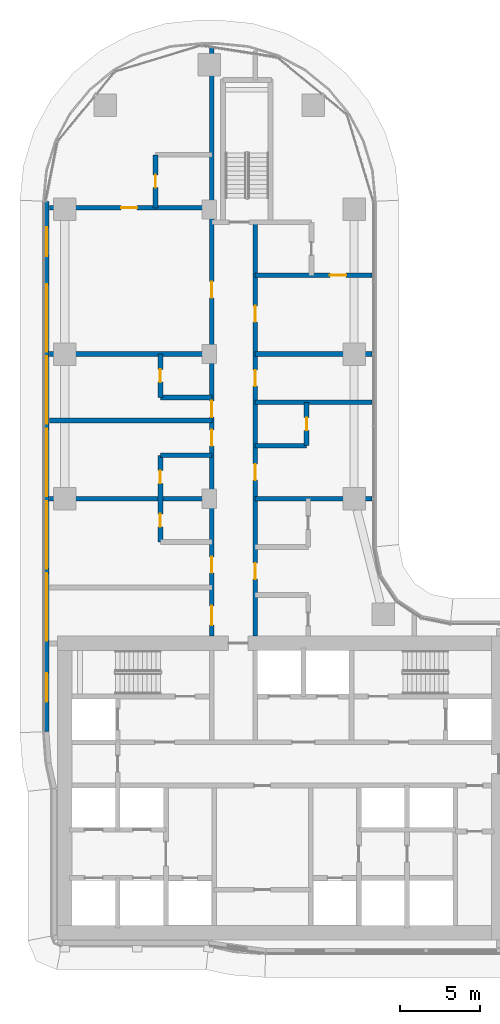
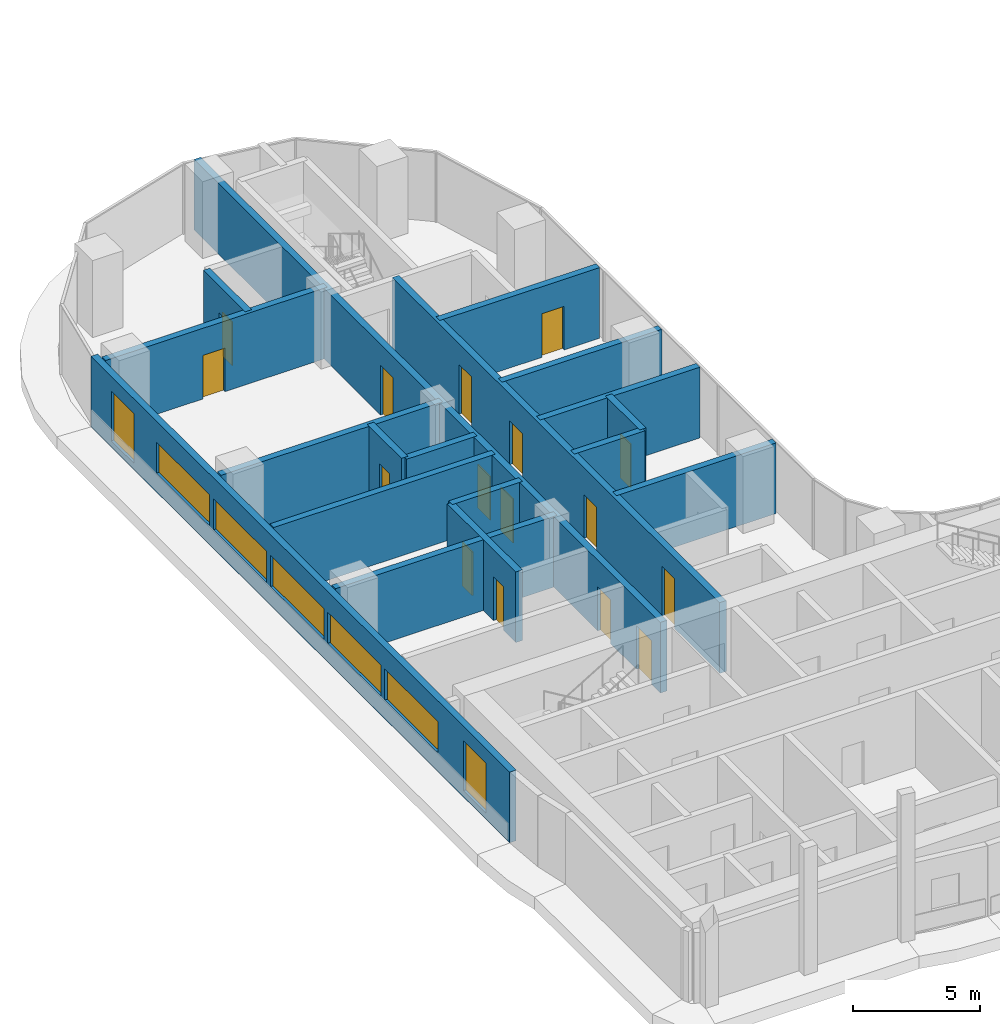
# One storey, part 23 of 39: 18 walls, 16 doors, 7 windows, 23 openings.
"""IFC4 building model written with IfcOpenShell, lengths in metres."""

from ifc_helpers import new_model, si_unit, direction, frame, frame_2d, origin, place, context, subcontext, project, spatial, rectangle, extrude, material, layer, layer_set, type_object, element, fill, save


model = new_model("IFC4")

# Units and contexts
model_context = context("Model", 3, precision=1e-05, world=origin(), true_north=direction((0.0, 1.0)))
body_context = subcontext(model_context, "Body", "Model", "MODEL_VIEW")
ifc_project = project(units=[si_unit("LENGTHUNIT", "METRE"), si_unit("AREAUNIT", "SQUARE_METRE"), si_unit("VOLUMEUNIT", "CUBIC_METRE"), si_unit("PLANEANGLEUNIT", "RADIAN"), si_unit("MASSUNIT", "GRAM", prefix="KILO")], contexts=[model_context])

# Site, building, storey
site_placement = place(None, origin())
site = spatial("IfcSite", under=ifc_project, at=site_placement, CompositionType="ELEMENT")
building_placement = place(site_placement, origin())
building = spatial("IfcBuilding", under=site, at=building_placement, Name="Ogive Portal Towers", CompositionType="ELEMENT")
storey_placement = place(building_placement, frame((0.0, 0.0, 44.60009765625)))
storey = spatial("IfcBuildingStorey", under=building, at=storey_placement, Name="L09", CompositionType="ELEMENT", Elevation=44.60009765625)

# Wall, openings, windows
ifc_material_1 = material(Name="Limestone cladding on lightweight block wall", Category="masonry")
ifc_layer_1 = layer(ifc_material_1, 0.300048828125)
ifc_layer_set_1 = layer_set([ifc_layer_1], Name="EXTERNAL WALL 300 STONE")
wall_type_1 = type_object("IfcWallType", Name="EXTERNAL WALL 300 STONE", PredefinedType="SOLIDWALL", material=ifc_layer_set_1)
wall_1_placement = place(storey_placement, frame((30.364990234375, 66.9921875, 0.0), z_axis=(0.0, 0.0, 1.0), x_axis=(0.0, -1.0, 0.0)))
wall_1 = element("IfcWall", 1, at=wall_1_placement, inside=storey, type_object=wall_type_1, Name="A:L09:f23:r0:wall", PredefinedType="SOLIDWALL", context=body_context, shape_type="SweptSolid", body=[
    extrude(rectangle(XDim=32.9814453125, YDim=0.300048828125, at=frame_2d((16.49072265625, 0.0))), origin(), (0.0, 0.0, 1.0), 3.39990234375),
])
opening_1_placement = place(wall_1_placement, frame((1.595947265625, 0.0, 0.300048828125)))
opening_1 = element("IfcOpeningElement", 2, at=opening_1_placement, cuts=wall_1, Name="Opening WN10", PredefinedType="OPENING", context=body_context, shape_type="SweptSolid", body=[
    extrude(rectangle(XDim=1.800048828125, YDim=2.39990234375, at=frame_2d((0.89990234375, 1.199951171875))), frame((0.0, 0.16015625, 0.0), z_axis=(0.0, -1.0, 0.0), x_axis=(1.0, 0.0, 0.0)), (0.0, 0.0, 1.0), 0.320068359375),
])
opening_2_placement = place(wall_1_placement, frame((5.14208984375, 0.0, 0.89990234375)))
opening_2 = element("IfcOpeningElement", 3, at=opening_2_placement, cuts=wall_1, Name="Opening WN11", PredefinedType="OPENING", context=body_context, shape_type="SweptSolid", body=[
    extrude(rectangle(XDim=4.199951171875, YDim=1.5, at=frame_2d((2.10009765625, 0.75))), frame((0.0, 0.16015625, 0.0), z_axis=(0.0, -1.0, 0.0), x_axis=(1.0, 0.0, 0.0)), (0.0, 0.0, 1.0), 0.320068359375),
])
opening_3_placement = place(wall_1_placement, frame((9.64208984375, 0.0, 0.89990234375)))
opening_3 = element("IfcOpeningElement", 4, at=opening_3_placement, cuts=wall_1, Name="Opening WN11", PredefinedType="OPENING", context=body_context, shape_type="SweptSolid", body=[
    extrude(rectangle(XDim=4.199951171875, YDim=1.5, at=frame_2d((2.10009765625, 0.75))), frame((0.0, 0.16015625, 0.0), z_axis=(0.0, -1.0, 0.0), x_axis=(1.0, 0.0, 0.0)), (0.0, 0.0, 1.0), 0.320068359375),
])
opening_4_placement = place(wall_1_placement, frame((14.14208984375, 0.0, 0.89990234375)))
opening_4 = element("IfcOpeningElement", 5, at=opening_4_placement, cuts=wall_1, Name="Opening WN11", PredefinedType="OPENING", context=body_context, shape_type="SweptSolid", body=[
    extrude(rectangle(XDim=4.199951171875, YDim=1.5, at=frame_2d((2.10009765625, 0.75))), frame((0.0, 0.16015625, 0.0), z_axis=(0.0, -1.0, 0.0), x_axis=(1.0, 0.0, 0.0)), (0.0, 0.0, 1.0), 0.320068359375),
])
opening_5_placement = place(wall_1_placement, frame((18.64208984375, 0.0, 0.89990234375)))
opening_5 = element("IfcOpeningElement", 6, at=opening_5_placement, cuts=wall_1, Name="Opening WN11", PredefinedType="OPENING", context=body_context, shape_type="SweptSolid", body=[
    extrude(rectangle(XDim=4.199951171875, YDim=1.5, at=frame_2d((2.10009765625, 0.75))), frame((0.0, 0.16015625, 0.0), z_axis=(0.0, -1.0, 0.0), x_axis=(1.0, 0.0, 0.0)), (0.0, 0.0, 1.0), 0.320068359375),
])
opening_6_placement = place(wall_1_placement, frame((23.14208984375, 0.0, 0.89990234375)))
opening_6 = element("IfcOpeningElement", 7, at=opening_6_placement, cuts=wall_1, Name="Opening WN11", PredefinedType="OPENING", context=body_context, shape_type="SweptSolid", body=[
    extrude(rectangle(XDim=4.199951171875, YDim=1.5, at=frame_2d((2.10009765625, 0.75))), frame((0.0, 0.16015625, 0.0), z_axis=(0.0, -1.0, 0.0), x_axis=(1.0, 0.0, 0.0)), (0.0, 0.0, 1.0), 0.320068359375),
])
opening_7_placement = place(wall_1_placement, frame((29.336669921875, 0.0, 0.300048828125)))
opening_7 = element("IfcOpeningElement", 8, at=opening_7_placement, cuts=wall_1, Name="Opening WN10", PredefinedType="OPENING", context=body_context, shape_type="SweptSolid", body=[
    extrude(rectangle(XDim=1.800048828125, YDim=2.39990234375, at=frame_2d((0.89990234375, 1.199951171875))), frame((0.0, 0.16015625, 0.0), z_axis=(0.0, -1.0, 0.0), x_axis=(1.0, 0.0, 0.0)), (0.0, 0.0, 1.0), 0.320068359375),
])
ifc_material_2 = material(Name="Glass, clear low-iron insulated glazing", Category="glass")
window_type_1 = type_object("IfcWindowType", Name="WINDOW RIBBON 4200x1500", PartitioningType="TRIPLE_PANEL_VERTICAL", PredefinedType="WINDOW", material=ifc_material_2)
window_1_placement = place(opening_2_placement, origin())
window_1 = element("IfcWindow", 9, at=window_1_placement, inside=storey, type_object=window_type_1, Name="A:L09:f23:r0:w1", OverallHeight=1.5, OverallWidth=4.199951171875, PartitioningType="SINGLE_PANEL", PredefinedType="WINDOW", context=body_context, shape_type="SweptSolid", body=[
    extrude(rectangle(XDim=4.199951171875, YDim=1.5, at=frame_2d((2.10009765625, 0.75))), frame((0.0, 0.030029296875, 0.0), z_axis=(0.0, -1.0, 0.0), x_axis=(1.0, 0.0, 0.0)), (0.0, 0.0, 1.0), 0.06005859375),
])
fill(opening_2, window_1)
window_2_placement = place(opening_3_placement, origin())
window_2 = element("IfcWindow", 10, at=window_2_placement, inside=storey, type_object=window_type_1, Name="A:L09:f23:r0:w2", OverallHeight=1.5, OverallWidth=4.199951171875, PartitioningType="SINGLE_PANEL", PredefinedType="WINDOW", context=body_context, shape_type="SweptSolid", body=[
    extrude(rectangle(XDim=4.199951171875, YDim=1.5, at=frame_2d((2.10009765625, 0.75))), frame((0.0, 0.030029296875, 0.0), z_axis=(0.0, -1.0, 0.0), x_axis=(1.0, 0.0, 0.0)), (0.0, 0.0, 1.0), 0.06005859375),
])
fill(opening_3, window_2)
window_3_placement = place(opening_4_placement, origin())
window_3 = element("IfcWindow", 11, at=window_3_placement, inside=storey, type_object=window_type_1, Name="A:L09:f23:r0:w3", OverallHeight=1.5, OverallWidth=4.199951171875, PartitioningType="SINGLE_PANEL", PredefinedType="WINDOW", context=body_context, shape_type="SweptSolid", body=[
    extrude(rectangle(XDim=4.199951171875, YDim=1.5, at=frame_2d((2.10009765625, 0.75))), frame((0.0, 0.030029296875, 0.0), z_axis=(0.0, -1.0, 0.0), x_axis=(1.0, 0.0, 0.0)), (0.0, 0.0, 1.0), 0.06005859375),
])
fill(opening_4, window_3)
window_4_placement = place(opening_5_placement, origin())
window_4 = element("IfcWindow", 12, at=window_4_placement, inside=storey, type_object=window_type_1, Name="A:L09:f23:r0:w4", OverallHeight=1.5, OverallWidth=4.199951171875, PartitioningType="SINGLE_PANEL", PredefinedType="WINDOW", context=body_context, shape_type="SweptSolid", body=[
    extrude(rectangle(XDim=4.199951171875, YDim=1.5, at=frame_2d((2.10009765625, 0.75))), frame((0.0, 0.030029296875, 0.0), z_axis=(0.0, -1.0, 0.0), x_axis=(1.0, 0.0, 0.0)), (0.0, 0.0, 1.0), 0.06005859375),
])
fill(opening_5, window_4)
window_5_placement = place(opening_6_placement, origin())
window_5 = element("IfcWindow", 13, at=window_5_placement, inside=storey, type_object=window_type_1, Name="A:L09:f23:r0:w5", OverallHeight=1.5, OverallWidth=4.199951171875, PartitioningType="SINGLE_PANEL", PredefinedType="WINDOW", context=body_context, shape_type="SweptSolid", body=[
    extrude(rectangle(XDim=4.199951171875, YDim=1.5, at=frame_2d((2.10009765625, 0.75))), frame((0.0, 0.030029296875, 0.0), z_axis=(0.0, -1.0, 0.0), x_axis=(1.0, 0.0, 0.0)), (0.0, 0.0, 1.0), 0.06005859375),
])
fill(opening_6, window_5)
window_type_2 = type_object("IfcWindowType", Name="WINDOW SUITE CORNER 1800x2400", PartitioningType="DOUBLE_PANEL_VERTICAL", PredefinedType="WINDOW", material=ifc_material_2)
window_6_placement = place(opening_1_placement, origin())
window_6 = element("IfcWindow", 14, at=window_6_placement, inside=storey, type_object=window_type_2, Name="A:L09:f23:r0:w0", OverallHeight=2.39990234375, OverallWidth=1.800048828125, PartitioningType="SINGLE_PANEL", PredefinedType="WINDOW", context=body_context, shape_type="SweptSolid", body=[
    extrude(rectangle(XDim=1.800048828125, YDim=2.39990234375, at=frame_2d((0.89990234375, 1.199951171875))), frame((0.0, 0.030029296875, 0.0), z_axis=(0.0, -1.0, 0.0), x_axis=(1.0, 0.0, 0.0)), (0.0, 0.0, 1.0), 0.06005859375),
])
fill(opening_1, window_6)
window_7_placement = place(opening_7_placement, origin())
window_7 = element("IfcWindow", 15, at=window_7_placement, inside=storey, type_object=window_type_2, Name="A:L09:f23:r0:w6", OverallHeight=2.39990234375, OverallWidth=1.800048828125, PartitioningType="SINGLE_PANEL", PredefinedType="WINDOW", context=body_context, shape_type="SweptSolid", body=[
    extrude(rectangle(XDim=1.800048828125, YDim=2.39990234375, at=frame_2d((0.89990234375, 1.199951171875))), frame((0.0, 0.030029296875, 0.0), z_axis=(0.0, -1.0, 0.0), x_axis=(1.0, 0.0, 0.0)), (0.0, 0.0, 1.0), 0.06005859375),
])
fill(opening_7, window_7)

# Walls
ifc_material_3 = material(Name="Gypsum board partition on steel studs", Category="steel")
ifc_layer_2 = layer(ifc_material_3, 0.300048828125)
ifc_layer_set_2 = layer_set([ifc_layer_2], Name="WT-PART-300-EI 60")
wall_type_2 = type_object("IfcWallType", Name="WT-PART-300-EI 60", PredefinedType="PARTITIONING", material=ifc_layer_set_2)
wall_2_placement = place(storey_placement, frame((30.56494140625, 48.5, 0.0), z_axis=(0.0, 0.0, 1.0), x_axis=(1.0, 0.0, 0.0)))
element("IfcWall", 16, at=wall_2_placement, inside=storey, type_object=wall_type_2, Name="Wall L09:w019", PredefinedType="PARTITIONING", context=body_context, shape_type="SweptSolid", body=[
    extrude(rectangle(XDim=10.0849609375, YDim=0.300048828125, at=frame_2d((5.04248046875, 0.0))), origin(), (0.0, 0.0, 1.0), 3.39990234375),
])
wall_3_placement = place(storey_placement, frame((43.35009765625, 48.5, 0.0), z_axis=(0.0, 0.0, 1.0), x_axis=(1.0, 0.0, 0.0)))
element("IfcWall", 17, at=wall_3_placement, inside=storey, type_object=wall_type_2, Name="Wall L09:w020", PredefinedType="PARTITIONING", context=body_context, shape_type="SweptSolid", body=[
    extrude(rectangle(XDim=7.264892578125, YDim=0.300048828125, at=frame_2d((3.63232421875, 0.0))), origin(), (0.0, 0.0, 1.0), 3.39990234375),
])
for number, where, z_axis, x_axis, name in (
    (18, (37.449951171875, 51.199951171875, 0.0), (0.0, 0.0, 1.0), (1.0, 0.0, 0.0), "Wall L09:w021"),
    (19, (43.35009765625, 51.800048828125, 0.0), (0.0, 0.0, 1.0), (1.0, 0.0, 0.0), "Wall L09:w022"),
):
    element("IfcWall", number, at=place(storey_placement, frame(where, z_axis=z_axis, x_axis=x_axis)), inside=storey, type_object=wall_type_2, Name=name, PredefinedType="PARTITIONING", context=body_context, shape_type="SweptSolid", body=[
        extrude(rectangle(XDim=3.199951171875, YDim=0.300048828125, at=frame_2d((1.60009765625, 0.0))), origin(), (0.0, 0.0, 1.0), 3.39990234375),
    ])
wall_4_placement = place(storey_placement, frame((30.56494140625, 53.360107421875, 0.0), z_axis=(0.0, 0.0, 1.0), x_axis=(1.0, 0.0, 0.0)))
element("IfcWall", 20, at=wall_4_placement, inside=storey, type_object=wall_type_2, Name="Wall L09:w023", PredefinedType="PARTITIONING", context=body_context, shape_type="SweptSolid", body=[
    extrude(rectangle(XDim=10.0849609375, YDim=0.300048828125, at=frame_2d((5.04248046875, 0.0))), origin(), (0.0, 0.0, 1.0), 3.39990234375),
])
wall_5_placement = place(storey_placement, frame((43.35009765625, 54.5, 0.0), z_axis=(0.0, 0.0, 1.0), x_axis=(1.0, 0.0, 0.0)))
element("IfcWall", 21, at=wall_5_placement, inside=storey, type_object=wall_type_2, Name="Wall L09:w024", PredefinedType="PARTITIONING", context=body_context, shape_type="SweptSolid", body=[
    extrude(rectangle(XDim=7.264892578125, YDim=0.300048828125, at=frame_2d((3.63232421875, 0.0))), origin(), (0.0, 0.0, 1.0), 3.39990234375),
])
wall_6_placement = place(storey_placement, frame((37.449951171875, 54.800048828125, 0.0), z_axis=(0.0, 0.0, 1.0), x_axis=(1.0, 0.0, 0.0)))
element("IfcWall", 22, at=wall_6_placement, inside=storey, type_object=wall_type_2, Name="Wall L09:w025", PredefinedType="PARTITIONING", context=body_context, shape_type="SweptSolid", body=[
    extrude(rectangle(XDim=3.199951171875, YDim=0.300048828125, at=frame_2d((1.60009765625, 0.0))), origin(), (0.0, 0.0, 1.0), 3.39990234375),
])
wall_7_placement = place(storey_placement, frame((30.56494140625, 57.5, 0.0), z_axis=(0.0, 0.0, 1.0), x_axis=(1.0, 0.0, 0.0)))
element("IfcWall", 23, at=wall_7_placement, inside=storey, type_object=wall_type_2, Name="Wall L09:w026", PredefinedType="PARTITIONING", context=body_context, shape_type="SweptSolid", body=[
    extrude(rectangle(XDim=10.0849609375, YDim=0.300048828125, at=frame_2d((5.04248046875, 0.0))), origin(), (0.0, 0.0, 1.0), 3.39990234375),
])
wall_8_placement = place(storey_placement, frame((43.35009765625, 57.5, 0.0), z_axis=(0.0, 0.0, 1.0), x_axis=(1.0, 0.0, 0.0)))
element("IfcWall", 24, at=wall_8_placement, inside=storey, type_object=wall_type_2, Name="Wall L09:w027", PredefinedType="PARTITIONING", context=body_context, shape_type="SweptSolid", body=[
    extrude(rectangle(XDim=7.264892578125, YDim=0.300048828125, at=frame_2d((3.63232421875, 0.0))), origin(), (0.0, 0.0, 1.0), 3.39990234375),
])

# Wall, opening, door
wall_9_placement = place(storey_placement, frame((43.35009765625, 62.39990234375, 0.0), z_axis=(0.0, 0.0, 1.0), x_axis=(1.0, 0.0, 0.0)))
wall_9 = element("IfcWall", 25, at=wall_9_placement, inside=storey, type_object=wall_type_2, Name="Wall L09:w028", PredefinedType="PARTITIONING", context=body_context, shape_type="SweptSolid", body=[
    extrude(rectangle(XDim=7.264892578125, YDim=0.300048828125, at=frame_2d((3.63232421875, 0.0))), origin(), (0.0, 0.0, 1.0), 3.39990234375),
])
opening_8_placement = place(wall_9_placement, frame((4.64990234375, 0.0, 0.0)))
opening_8 = element("IfcOpeningElement", 26, at=opening_8_placement, cuts=wall_9, Name="Opening D02-059", PredefinedType="OPENING", context=body_context, shape_type="SweptSolid", body=[
    extrude(rectangle(XDim=1.0, YDim=2.10009765625, at=frame_2d((0.5, 1.050048828125))), frame((0.0, 0.16015625, 0.0), z_axis=(0.0, -1.0, 0.0), x_axis=(1.0, 0.0, 0.0)), (0.0, 0.0, 1.0), 0.320068359375),
])
ifc_material_4 = material(Name="Steel fire door", Category="steel")
door_type_1 = type_object("IfcDoorType", Name="DT-ENTRY-1000x2100-FD60S", OperationType="SINGLE_SWING_LEFT", PredefinedType="DOOR", material=ifc_material_4)
door_1_placement = place(opening_8_placement, origin())
door_1 = element("IfcDoor", 27, at=door_1_placement, inside=storey, type_object=door_type_1, Name="Door D02-059", OperationType="SINGLE_SWING_LEFT", OverallHeight=2.10009765625, OverallWidth=1.0, PredefinedType="DOOR", context=body_context, shape_type="SweptSolid", body=[
    extrude(rectangle(XDim=1.0, YDim=2.10009765625, at=frame_2d((0.5, 1.050048828125))), frame((0.0, 0.02490234375, 0.0), z_axis=(0.0, -1.0, 0.0), x_axis=(1.0, 0.0, 0.0)), (0.0, 0.0, 1.0), 0.050048828125),
])
fill(opening_8, door_1)

wall_10_placement = place(storey_placement, frame((30.56494140625, 66.60009765625, 0.0), z_axis=(0.0, 0.0, 1.0), x_axis=(1.0, 0.0, 0.0)))
wall_10 = element("IfcWall", 28, at=wall_10_placement, inside=storey, type_object=wall_type_2, Name="Wall L09:w030", PredefinedType="PARTITIONING", context=body_context, shape_type="SweptSolid", body=[
    extrude(rectangle(XDim=10.0849609375, YDim=0.300048828125, at=frame_2d((5.04248046875, 0.0))), origin(), (0.0, 0.0, 1.0), 3.39990234375),
])
opening_9_placement = place(wall_10_placement, frame((4.43505859375, 0.0, 0.0)))
opening_9 = element("IfcOpeningElement", 29, at=opening_9_placement, cuts=wall_10, Name="Opening D02-062", PredefinedType="OPENING", context=body_context, shape_type="SweptSolid", body=[
    extrude(rectangle(XDim=1.0, YDim=2.10009765625, at=frame_2d((0.5, 1.050048828125))), frame((0.0, 0.16015625, 0.0), z_axis=(0.0, -1.0, 0.0), x_axis=(1.0, 0.0, 0.0)), (0.0, 0.0, 1.0), 0.320068359375),
])
door_2_placement = place(opening_9_placement, origin())
door_2 = element("IfcDoor", 30, at=door_2_placement, inside=storey, type_object=door_type_1, Name="Door D02-062", OperationType="SINGLE_SWING_LEFT", OverallHeight=2.10009765625, OverallWidth=1.0, PredefinedType="DOOR", context=body_context, shape_type="SweptSolid", body=[
    extrude(rectangle(XDim=1.0, YDim=2.10009765625, at=frame_2d((0.5, 1.050048828125))), frame((0.0, 0.02490234375, 0.0), z_axis=(0.0, -1.0, 0.0), x_axis=(1.0, 0.0, 0.0)), (0.0, 0.0, 1.0), 0.050048828125),
])
fill(opening_9, door_2)

wall_11_placement = place(storey_placement, frame((37.14990234375, 66.60009765625, 0.0), z_axis=(0.0, 0.0, 1.0), x_axis=(0.0, 1.0, 0.0)))
wall_11 = element("IfcWall", 31, at=wall_11_placement, inside=storey, type_object=wall_type_2, Name="Wall L09:w033", PredefinedType="PARTITIONING", context=body_context, shape_type="SweptSolid", body=[
    extrude(rectangle(XDim=3.2998046875, YDim=0.300048828125, at=frame_2d((1.64990234375, 0.0))), origin(), (0.0, 0.0, 1.0), 3.39990234375),
])
opening_10_placement = place(wall_11_placement, frame((1.25, 0.0, 0.0)))
opening_10 = element("IfcOpeningElement", 32, at=opening_10_placement, cuts=wall_11, Name="Opening D02-063", PredefinedType="OPENING", context=body_context, shape_type="SweptSolid", body=[
    extrude(rectangle(XDim=0.800048828125, YDim=2.10009765625, at=frame_2d((0.39990234375, 1.050048828125))), frame((0.0, 0.16015625, 0.0), z_axis=(0.0, -1.0, 0.0), x_axis=(1.0, 0.0, 0.0)), (0.0, 0.0, 1.0), 0.320068359375),
])
door_type_2 = type_object("IfcDoorType", Name="DT-BATH-800x2100-FD60S", OperationType="SINGLE_SWING_LEFT", PredefinedType="DOOR", material=ifc_material_4)
door_3_placement = place(opening_10_placement, origin())
door_3 = element("IfcDoor", 33, at=door_3_placement, inside=storey, type_object=door_type_2, Name="Door D02-063", OperationType="SINGLE_SWING_LEFT", OverallHeight=2.10009765625, OverallWidth=0.800048828125, PredefinedType="DOOR", context=body_context, shape_type="SweptSolid", body=[
    extrude(rectangle(XDim=0.800048828125, YDim=2.10009765625, at=frame_2d((0.39990234375, 1.050048828125))), frame((0.0, 0.02490234375, 0.0), z_axis=(0.0, -1.0, 0.0), x_axis=(1.0, 0.0, 0.0)), (0.0, 0.0, 1.0), 0.050048828125),
])
fill(opening_10, door_3)

# Wall, openings, doors
wall_12_placement = place(storey_placement, frame((37.449951171875, 45.800048828125, 0.0), z_axis=(0.0, 0.0, 1.0), x_axis=(0.0, 1.0, 0.0)))
wall_12 = element("IfcWall", 34, at=wall_12_placement, inside=storey, type_object=wall_type_2, Name="Wall L09:w034", PredefinedType="PARTITIONING", context=body_context, shape_type="SweptSolid", body=[
    extrude(rectangle(XDim=5.39990234375, YDim=0.300048828125, at=frame_2d((2.699951171875, 0.0))), origin(), (0.0, 0.0, 1.0), 3.39990234375),
])
opening_11_placement = place(wall_12_placement, frame((0.949951171875, 0.0, 0.0)))
opening_11 = element("IfcOpeningElement", 35, at=opening_11_placement, cuts=wall_12, Name="Opening D02-049", PredefinedType="OPENING", context=body_context, shape_type="SweptSolid", body=[
    extrude(rectangle(XDim=0.800048828125, YDim=2.10009765625, at=frame_2d((0.39990234375, 1.050048828125))), frame((0.0, 0.16015625, 0.0), z_axis=(0.0, -1.0, 0.0), x_axis=(1.0, 0.0, 0.0)), (0.0, 0.0, 1.0), 0.320068359375),
])
opening_12_placement = place(wall_12_placement, frame((3.64990234375, 0.0, 0.0)))
opening_12 = element("IfcOpeningElement", 36, at=opening_12_placement, cuts=wall_12, Name="Opening D02-054", PredefinedType="OPENING", context=body_context, shape_type="SweptSolid", body=[
    extrude(rectangle(XDim=0.800048828125, YDim=2.10009765625, at=frame_2d((0.39990234375, 1.050048828125))), frame((0.0, 0.16015625, 0.0), z_axis=(0.0, -1.0, 0.0), x_axis=(1.0, 0.0, 0.0)), (0.0, 0.0, 1.0), 0.320068359375),
])
door_4_placement = place(opening_11_placement, origin())
door_4 = element("IfcDoor", 37, at=door_4_placement, inside=storey, type_object=door_type_2, Name="Door D02-049", OperationType="SINGLE_SWING_LEFT", OverallHeight=2.10009765625, OverallWidth=0.800048828125, PredefinedType="DOOR", context=body_context, shape_type="SweptSolid", body=[
    extrude(rectangle(XDim=0.800048828125, YDim=2.10009765625, at=frame_2d((0.39990234375, 1.050048828125))), frame((0.0, 0.02490234375, 0.0), z_axis=(0.0, -1.0, 0.0), x_axis=(1.0, 0.0, 0.0)), (0.0, 0.0, 1.0), 0.050048828125),
])
fill(opening_11, door_4)
door_5_placement = place(opening_12_placement, origin())
door_5 = element("IfcDoor", 38, at=door_5_placement, inside=storey, type_object=door_type_2, Name="Door D02-054", OperationType="SINGLE_SWING_RIGHT", OverallHeight=2.10009765625, OverallWidth=0.800048828125, PredefinedType="DOOR", context=body_context, shape_type="SweptSolid", body=[
    extrude(rectangle(XDim=0.800048828125, YDim=2.10009765625, at=frame_2d((0.39990234375, 1.050048828125))), frame((0.0, 0.02490234375, 0.0), z_axis=(0.0, -1.0, 0.0), x_axis=(1.0, 0.0, 0.0)), (0.0, 0.0, 1.0), 0.050048828125),
])
fill(opening_12, door_5)

# Wall, opening, door
wall_13_placement = place(storey_placement, frame((37.449951171875, 54.800048828125, 0.0), z_axis=(0.0, 0.0, 1.0), x_axis=(0.0, 1.0, 0.0)))
wall_13 = element("IfcWall", 39, at=wall_13_placement, inside=storey, type_object=wall_type_2, Name="Wall L09:w035", PredefinedType="PARTITIONING", context=body_context, shape_type="SweptSolid", body=[
    extrude(rectangle(XDim=2.699951171875, YDim=0.300048828125, at=frame_2d((1.35009765625, 0.0))), origin(), (0.0, 0.0, 1.0), 3.39990234375),
])
opening_13_placement = place(wall_13_placement, frame((0.949951171875, 0.0, 0.0)))
opening_13 = element("IfcOpeningElement", 40, at=opening_13_placement, cuts=wall_13, Name="Opening D02-056", PredefinedType="OPENING", context=body_context, shape_type="SweptSolid", body=[
    extrude(rectangle(XDim=0.800048828125, YDim=2.10009765625, at=frame_2d((0.39990234375, 1.050048828125))), frame((0.0, 0.16015625, 0.0), z_axis=(0.0, -1.0, 0.0), x_axis=(1.0, 0.0, 0.0)), (0.0, 0.0, 1.0), 0.320068359375),
])
door_6_placement = place(opening_13_placement, origin())
door_6 = element("IfcDoor", 41, at=door_6_placement, inside=storey, type_object=door_type_2, Name="Door D02-056", OperationType="SINGLE_SWING_LEFT", OverallHeight=2.10009765625, OverallWidth=0.800048828125, PredefinedType="DOOR", context=body_context, shape_type="SweptSolid", body=[
    extrude(rectangle(XDim=0.800048828125, YDim=2.10009765625, at=frame_2d((0.39990234375, 1.050048828125))), frame((0.0, 0.02490234375, 0.0), z_axis=(0.0, -1.0, 0.0), x_axis=(1.0, 0.0, 0.0)), (0.0, 0.0, 1.0), 0.050048828125),
])
fill(opening_13, door_6)

# Wall, openings, doors
wall_14_placement = place(storey_placement, frame((40.64990234375, 39.949951171875, 0.0), z_axis=(0.0, 0.0, 1.0), x_axis=(0.0, 1.0, 0.0)))
wall_14 = element("IfcWall", 42, at=wall_14_placement, inside=storey, type_object=wall_type_2, Name="Wall L09:w036", PredefinedType="PARTITIONING", context=body_context, shape_type="SweptSolid", body=[
    extrude(rectangle(XDim=36.72509765625, YDim=0.300048828125, at=frame_2d((18.362548828125, 0.0))), origin(), (0.0, 0.0, 1.0), 3.39990234375),
])
opening_14_placement = place(wall_14_placement, frame((0.68505859375, 0.0, 0.0)))
opening_14 = element("IfcOpeningElement", 43, at=opening_14_placement, cuts=wall_14, Name="Opening D02-048", PredefinedType="OPENING", context=body_context, shape_type="SweptSolid", body=[
    extrude(rectangle(XDim=1.199951171875, YDim=2.10009765625, at=frame_2d((0.60009765625, 1.050048828125))), frame((0.0, 0.16015625, 0.0), z_axis=(0.0, -1.0, 0.0), x_axis=(1.0, 0.0, 0.0)), (0.0, 0.0, 1.0), 0.320068359375),
])
opening_15_placement = place(wall_14_placement, frame((3.93505859375, 0.0, 0.0)))
opening_15 = element("IfcOpeningElement", 44, at=opening_15_placement, cuts=wall_14, Name="Opening D02-050", PredefinedType="OPENING", context=body_context, shape_type="SweptSolid", body=[
    extrude(rectangle(XDim=1.0, YDim=2.10009765625, at=frame_2d((0.5, 1.050048828125))), frame((0.0, 0.16015625, 0.0), z_axis=(0.0, -1.0, 0.0), x_axis=(1.0, 0.0, 0.0)), (0.0, 0.0, 1.0), 0.320068359375),
])
opening_16_placement = place(wall_14_placement, frame((11.830078125, 0.0, 0.0)))
opening_16 = element("IfcOpeningElement", 45, at=opening_16_placement, cuts=wall_14, Name="Opening D02-055", PredefinedType="OPENING", context=body_context, shape_type="SweptSolid", body=[
    extrude(rectangle(XDim=1.0, YDim=2.10009765625, at=frame_2d((0.5, 1.050048828125))), frame((0.0, 0.16015625, 0.0), z_axis=(0.0, -1.0, 0.0), x_axis=(1.0, 0.0, 0.0)), (0.0, 0.0, 1.0), 0.320068359375),
])
opening_17_placement = place(wall_14_placement, frame((13.6298828125, 0.0, 0.0)))
opening_17 = element("IfcOpeningElement", 46, at=opening_17_placement, cuts=wall_14, Name="Opening D02-057", PredefinedType="OPENING", context=body_context, shape_type="SweptSolid", body=[
    extrude(rectangle(XDim=1.0, YDim=2.10009765625, at=frame_2d((0.5, 1.050048828125))), frame((0.0, 0.16015625, 0.0), z_axis=(0.0, -1.0, 0.0), x_axis=(1.0, 0.0, 0.0)), (0.0, 0.0, 1.0), 0.320068359375),
])
opening_18_placement = place(wall_14_placement, frame((21.050048828125, 0.0, 0.0)))
opening_18 = element("IfcOpeningElement", 47, at=opening_18_placement, cuts=wall_14, Name="Opening D02-061", PredefinedType="OPENING", context=body_context, shape_type="SweptSolid", body=[
    extrude(rectangle(XDim=1.0, YDim=2.39990234375, at=frame_2d((0.5, 1.199951171875))), frame((0.0, 0.16015625, 0.0), z_axis=(0.0, -1.0, 0.0), x_axis=(1.0, 0.0, 0.0)), (0.0, 0.0, 1.0), 0.320068359375),
])
door_7_placement = place(opening_15_placement, origin())
door_7 = element("IfcDoor", 48, at=door_7_placement, inside=storey, type_object=door_type_1, Name="Door D02-050", OperationType="SINGLE_SWING_RIGHT", OverallHeight=2.10009765625, OverallWidth=1.0, PredefinedType="DOOR", context=body_context, shape_type="SweptSolid", body=[
    extrude(rectangle(XDim=1.0, YDim=2.10009765625, at=frame_2d((0.5, 1.050048828125))), frame((0.0, 0.02490234375, 0.0), z_axis=(0.0, -1.0, 0.0), x_axis=(1.0, 0.0, 0.0)), (0.0, 0.0, 1.0), 0.050048828125),
])
fill(opening_15, door_7)
door_8_placement = place(opening_16_placement, origin())
door_8 = element("IfcDoor", 49, at=door_8_placement, inside=storey, type_object=door_type_1, Name="Door D02-055", OperationType="SINGLE_SWING_LEFT", OverallHeight=2.10009765625, OverallWidth=1.0, PredefinedType="DOOR", context=body_context, shape_type="SweptSolid", body=[
    extrude(rectangle(XDim=1.0, YDim=2.10009765625, at=frame_2d((0.5, 1.050048828125))), frame((0.0, 0.02490234375, 0.0), z_axis=(0.0, -1.0, 0.0), x_axis=(1.0, 0.0, 0.0)), (0.0, 0.0, 1.0), 0.050048828125),
])
fill(opening_16, door_8)
door_9_placement = place(opening_17_placement, origin())
door_9 = element("IfcDoor", 50, at=door_9_placement, inside=storey, type_object=door_type_1, Name="Door D02-057", OperationType="SINGLE_SWING_LEFT", OverallHeight=2.10009765625, OverallWidth=1.0, PredefinedType="DOOR", context=body_context, shape_type="SweptSolid", body=[
    extrude(rectangle(XDim=1.0, YDim=2.10009765625, at=frame_2d((0.5, 1.050048828125))), frame((0.0, 0.02490234375, 0.0), z_axis=(0.0, -1.0, 0.0), x_axis=(1.0, 0.0, 0.0)), (0.0, 0.0, 1.0), 0.050048828125),
])
fill(opening_17, door_9)
door_type_3 = type_object("IfcDoorType", Name="DT-ENTRY-1000x2400-FD60S", OperationType="SINGLE_SWING_LEFT", PredefinedType="DOOR", material=ifc_material_4)
door_10_placement = place(opening_18_placement, origin())
door_10 = element("IfcDoor", 51, at=door_10_placement, inside=storey, type_object=door_type_3, Name="Door D02-061", OperationType="SINGLE_SWING_RIGHT", OverallHeight=2.39990234375, OverallWidth=1.0, PredefinedType="DOOR", context=body_context, shape_type="SweptSolid", body=[
    extrude(rectangle(XDim=1.0, YDim=2.39990234375, at=frame_2d((0.5, 1.199951171875))), frame((0.0, 0.02490234375, 0.0), z_axis=(0.0, -1.0, 0.0), x_axis=(1.0, 0.0, 0.0)), (0.0, 0.0, 1.0), 0.050048828125),
])
fill(opening_18, door_10)
door_type_4 = type_object("IfcDoorType", Name="DT-ENTRY-1200x2100-FD60S", OperationType="SINGLE_SWING_LEFT", PredefinedType="DOOR", material=ifc_material_4)
door_11_placement = place(opening_14_placement, origin())
door_11 = element("IfcDoor", 52, at=door_11_placement, inside=storey, type_object=door_type_4, Name="Door D02-048", OperationType="SINGLE_SWING_LEFT", OverallHeight=2.10009765625, OverallWidth=1.199951171875, PredefinedType="DOOR", context=body_context, shape_type="SweptSolid", body=[
    extrude(rectangle(XDim=1.199951171875, YDim=2.10009765625, at=frame_2d((0.60009765625, 1.050048828125))), frame((0.0, 0.02490234375, 0.0), z_axis=(0.0, -1.0, 0.0), x_axis=(1.0, 0.0, 0.0)), (0.0, 0.0, 1.0), 0.050048828125),
])
fill(opening_14, door_11)

# Wall, opening, door
wall_15_placement = place(storey_placement, frame((46.550048828125, 51.800048828125, 0.0), z_axis=(0.0, 0.0, 1.0), x_axis=(0.0, 1.0, 0.0)))
wall_15 = element("IfcWall", 53, at=wall_15_placement, inside=storey, type_object=wall_type_2, Name="Wall L09:w041", PredefinedType="PARTITIONING", context=body_context, shape_type="SweptSolid", body=[
    extrude(rectangle(XDim=2.699951171875, YDim=0.300048828125, at=frame_2d((1.35009765625, 0.0))), origin(), (0.0, 0.0, 1.0), 3.39990234375),
])
opening_19_placement = place(wall_15_placement, frame((0.949951171875, 0.0, 0.0)))
opening_19 = element("IfcOpeningElement", 54, at=opening_19_placement, cuts=wall_15, Name="Opening D02-051", PredefinedType="OPENING", context=body_context, shape_type="SweptSolid", body=[
    extrude(rectangle(XDim=0.800048828125, YDim=2.10009765625, at=frame_2d((0.39990234375, 1.050048828125))), frame((0.0, 0.16015625, 0.0), z_axis=(0.0, -1.0, 0.0), x_axis=(1.0, 0.0, 0.0)), (0.0, 0.0, 1.0), 0.320068359375),
])
door_12_placement = place(opening_19_placement, origin())
door_12 = element("IfcDoor", 55, at=door_12_placement, inside=storey, type_object=door_type_2, Name="Door D02-051", OperationType="SINGLE_SWING_RIGHT", OverallHeight=2.10009765625, OverallWidth=0.800048828125, PredefinedType="DOOR", context=body_context, shape_type="SweptSolid", body=[
    extrude(rectangle(XDim=0.800048828125, YDim=2.10009765625, at=frame_2d((0.39990234375, 1.050048828125))), frame((0.0, 0.02490234375, 0.0), z_axis=(0.0, -1.0, 0.0), x_axis=(1.0, 0.0, 0.0)), (0.0, 0.0, 1.0), 0.050048828125),
])
fill(opening_19, door_12)

# Wall, openings, doors
ifc_material_5 = material(Name="Concrete C40/50", Category="concrete")
ifc_layer_3 = layer(ifc_material_5, 0.300048828125)
ifc_layer_set_3 = layer_set([ifc_layer_3], Name="WT-SHAFT-300")
wall_type_3 = type_object("IfcWallType", Name="WT-SHAFT-300", PredefinedType="SOLIDWALL", material=ifc_layer_set_3)
wall_16_placement = place(storey_placement, frame((43.35009765625, 39.949951171875, 0.0), z_axis=(0.0, 0.0, 1.0), x_axis=(0.0, 1.0, 0.0)))
wall_16 = element("IfcWall", 56, at=wall_16_placement, inside=storey, type_object=wall_type_3, Name="Wall L09:w038", PredefinedType="SOLIDWALL", context=body_context, shape_type="SweptSolid", body=[
    extrude(rectangle(XDim=25.800048828125, YDim=0.300048828125, at=frame_2d((12.89990234375, 0.0))), origin(), (0.0, 0.0, 1.0), 3.39990234375),
])
opening_20_placement = place(wall_16_placement, frame((3.550048828125, 0.0, 0.0)))
opening_20 = element("IfcOpeningElement", 57, at=opening_20_placement, cuts=wall_16, Name="Opening D02-047", PredefinedType="OPENING", context=body_context, shape_type="SweptSolid", body=[
    extrude(rectangle(XDim=1.0, YDim=2.39990234375, at=frame_2d((0.5, 1.199951171875))), frame((0.0, 0.16015625, 0.0), z_axis=(0.0, -1.0, 0.0), x_axis=(1.0, 0.0, 0.0)), (0.0, 0.0, 1.0), 0.320068359375),
])
opening_21_placement = place(wall_16_placement, frame((9.699951171875, 0.0, 0.0)))
opening_21 = element("IfcOpeningElement", 58, at=opening_21_placement, cuts=wall_16, Name="Opening D02-052", PredefinedType="OPENING", context=body_context, shape_type="SweptSolid", body=[
    extrude(rectangle(XDim=1.0, YDim=2.10009765625, at=frame_2d((0.5, 1.050048828125))), frame((0.0, 0.16015625, 0.0), z_axis=(0.0, -1.0, 0.0), x_axis=(1.0, 0.0, 0.0)), (0.0, 0.0, 1.0), 0.320068359375),
])
opening_22_placement = place(wall_16_placement, frame((15.550048828125, 0.0, 0.0)))
opening_22 = element("IfcOpeningElement", 59, at=opening_22_placement, cuts=wall_16, Name="Opening D02-053", PredefinedType="OPENING", context=body_context, shape_type="SweptSolid", body=[
    extrude(rectangle(XDim=1.0, YDim=2.10009765625, at=frame_2d((0.5, 1.050048828125))), frame((0.0, 0.16015625, 0.0), z_axis=(0.0, -1.0, 0.0), x_axis=(1.0, 0.0, 0.0)), (0.0, 0.0, 1.0), 0.320068359375),
])
opening_23_placement = place(wall_16_placement, frame((19.550048828125, 0.0, 0.0)))
opening_23 = element("IfcOpeningElement", 60, at=opening_23_placement, cuts=wall_16, Name="Opening D02-058", PredefinedType="OPENING", context=body_context, shape_type="SweptSolid", body=[
    extrude(rectangle(XDim=1.0, YDim=2.39990234375, at=frame_2d((0.5, 1.199951171875))), frame((0.0, 0.16015625, 0.0), z_axis=(0.0, -1.0, 0.0), x_axis=(1.0, 0.0, 0.0)), (0.0, 0.0, 1.0), 0.320068359375),
])
door_type_5 = type_object("IfcDoorType", Name="DT-ENTRY-1000x2100-FD90S", OperationType="SINGLE_SWING_LEFT", PredefinedType="DOOR", material=ifc_material_4)
door_13_placement = place(opening_21_placement, origin())
door_13 = element("IfcDoor", 61, at=door_13_placement, inside=storey, type_object=door_type_5, Name="Door D02-052", OperationType="SINGLE_SWING_LEFT", OverallHeight=2.10009765625, OverallWidth=1.0, PredefinedType="DOOR", context=body_context, shape_type="SweptSolid", body=[
    extrude(rectangle(XDim=1.0, YDim=2.10009765625, at=frame_2d((0.5, 1.050048828125))), frame((0.0, 0.02490234375, 0.0), z_axis=(0.0, -1.0, 0.0), x_axis=(1.0, 0.0, 0.0)), (0.0, 0.0, 1.0), 0.050048828125),
])
fill(opening_21, door_13)
door_14_placement = place(opening_22_placement, origin())
door_14 = element("IfcDoor", 62, at=door_14_placement, inside=storey, type_object=door_type_5, Name="Door D02-053", OperationType="SINGLE_SWING_LEFT", OverallHeight=2.10009765625, OverallWidth=1.0, PredefinedType="DOOR", context=body_context, shape_type="SweptSolid", body=[
    extrude(rectangle(XDim=1.0, YDim=2.10009765625, at=frame_2d((0.5, 1.050048828125))), frame((0.0, 0.02490234375, 0.0), z_axis=(0.0, -1.0, 0.0), x_axis=(1.0, 0.0, 0.0)), (0.0, 0.0, 1.0), 0.050048828125),
])
fill(opening_22, door_14)
door_type_6 = type_object("IfcDoorType", Name="DT-ENTRY-1000x2400-FD90S", OperationType="SINGLE_SWING_LEFT", PredefinedType="DOOR", material=ifc_material_4)
door_15_placement = place(opening_20_placement, origin())
door_15 = element("IfcDoor", 63, at=door_15_placement, inside=storey, type_object=door_type_6, Name="Door D02-047", OperationType="SINGLE_SWING_LEFT", OverallHeight=2.39990234375, OverallWidth=1.0, PredefinedType="DOOR", context=body_context, shape_type="SweptSolid", body=[
    extrude(rectangle(XDim=1.0, YDim=2.39990234375, at=frame_2d((0.5, 1.199951171875))), frame((0.0, 0.02490234375, 0.0), z_axis=(0.0, -1.0, 0.0), x_axis=(1.0, 0.0, 0.0)), (0.0, 0.0, 1.0), 0.050048828125),
])
fill(opening_20, door_15)
door_16_placement = place(opening_23_placement, origin())
door_16 = element("IfcDoor", 64, at=door_16_placement, inside=storey, type_object=door_type_6, Name="Door D02-058", OperationType="SINGLE_SWING_RIGHT", OverallHeight=2.39990234375, OverallWidth=1.0, PredefinedType="DOOR", context=body_context, shape_type="SweptSolid", body=[
    extrude(rectangle(XDim=1.0, YDim=2.39990234375, at=frame_2d((0.5, 1.199951171875))), frame((0.0, 0.02490234375, 0.0), z_axis=(0.0, -1.0, 0.0), x_axis=(1.0, 0.0, 0.0)), (0.0, 0.0, 1.0), 0.050048828125),
])
fill(opening_23, door_16)

save(model, "model.ifc")
